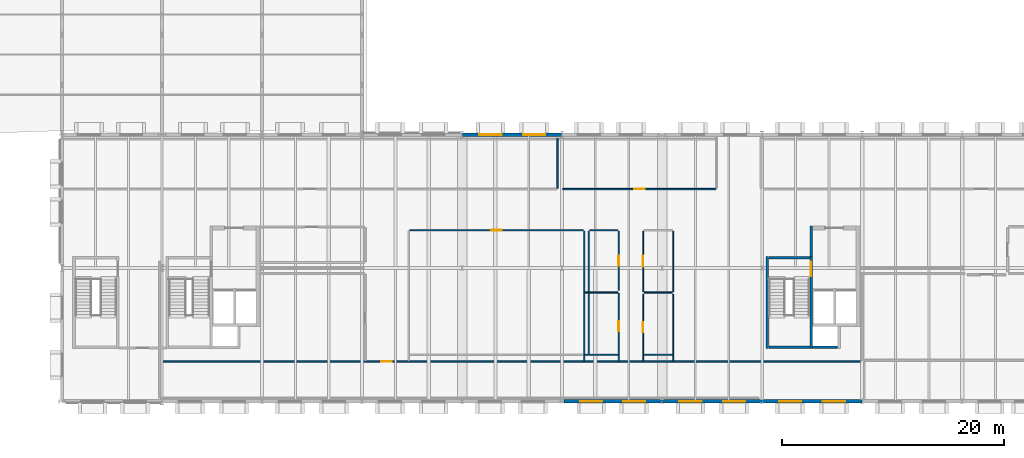
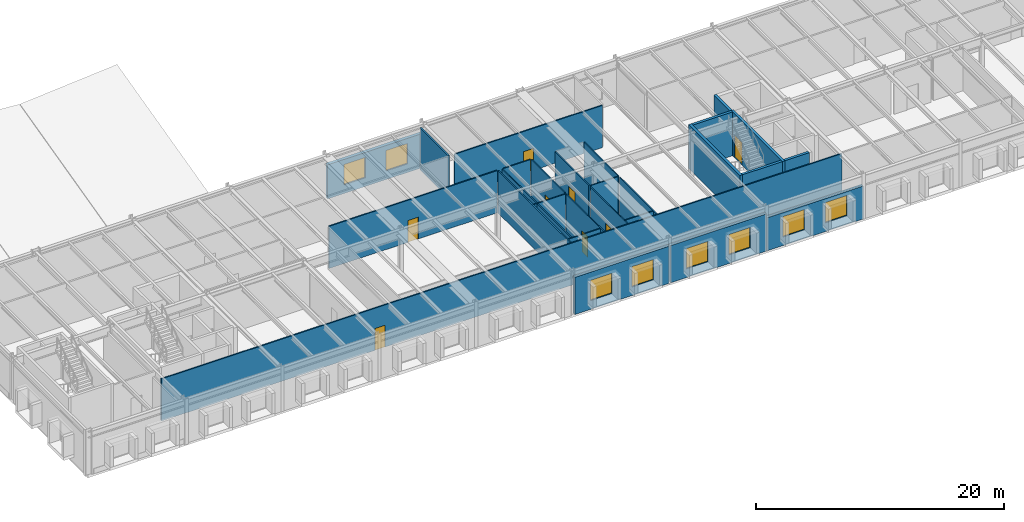
# One storey, part 57 of 67: 28 walls, 8 doors, 8 windows, 16 openings.
"""IFC4 building model written with IfcOpenShell, lengths in metres."""

from ifc_helpers import new_model, si_unit, direction, frame, frame_2d, origin, place, context, subcontext, project, spatial, rectangle, extrude, material, layer, layer_set, type_object, element, fill, save


model = new_model("IFC4")

# Units and contexts
model_context = context("Model", 3, precision=1e-05, world=origin(), true_north=direction((0.0, 1.0)))
body_context = subcontext(model_context, "Body", "Model", "MODEL_VIEW")
ifc_project = project(units=[si_unit("LENGTHUNIT", "METRE"), si_unit("AREAUNIT", "SQUARE_METRE"), si_unit("VOLUMEUNIT", "CUBIC_METRE"), si_unit("PLANEANGLEUNIT", "RADIAN"), si_unit("MASSUNIT", "GRAM", prefix="KILO")], contexts=[model_context])

# Site, building, storey
site_placement = place(None, origin())
site = spatial("IfcSite", under=ifc_project, at=site_placement, CompositionType="ELEMENT")
building_placement = place(site_placement, origin())
building = spatial("IfcBuilding", under=site, at=building_placement, Name="Montelvaro Courts of Justice", CompositionType="ELEMENT")
storey_placement = place(building_placement, frame((0.0, 0.0, 18.89990234375)))
storey = spatial("IfcBuildingStorey", under=building, at=storey_placement, Name="L04", CompositionType="ELEMENT", Elevation=18.89990234375)

# Wall
ifc_material_1 = material(Name="Gypsum board on metal stud")
ifc_layer_1 = layer(ifc_material_1, 0.14990234375)
ifc_layer_set_1 = layer_set([ifc_layer_1], Name="Gypsum board on metal stud")
wall_type_1 = type_object("IfcWallType", Name="ChambersPartition_150", PredefinedType="PARTITIONING", material=ifc_layer_set_1)
wall_1_placement = place(storey_placement, frame((89.60009765625, 23.677001953125, 0.0), z_axis=(0.0, 0.0, 1.0), x_axis=(0.0, -1.0, 0.0)))
element("IfcWall", 1, at=wall_1_placement, inside=storey, type_object=wall_type_1, Name="Interior Partition IW-04 (L04)", PredefinedType="PARTITIONING", context=body_context, shape_type="SweptSolid", body=[
    extrude(rectangle(XDim=4.4970703125, YDim=0.14990234375, at=frame_2d((2.24853515625, 0.0))), origin(), (0.0, 0.0, 1.0), 4.14013671875),
])

# Wall, openings, windows
ifc_material_2 = material(Name="White mineral precast concrete C45/55", Category="concrete")
ifc_layer_2 = layer(ifc_material_2, 0.300048828125)
ifc_layer_set_2 = layer_set([ifc_layer_2], Name="White mineral precast concrete C45/55")
wall_type_2 = type_object("IfcWallType", Name="ExtWall_GFRC_300", PredefinedType="SOLIDWALL", material=ifc_layer_set_2)
wall_2_placement = place(storey_placement, frame((90.16796875, 0.0, 0.0), z_axis=(0.0, 0.0, 1.0), x_axis=(1.0, 0.0, 0.0)))
wall_2 = element("IfcWall", 2, at=wall_2_placement, inside=storey, type_object=wall_type_2, Name="Exterior Facade Wall EW-02 (L04)", PredefinedType="SOLIDWALL", context=body_context, shape_type="SweptSolid", body=[
    extrude(rectangle(XDim=8.77392578125, YDim=0.300048828125, at=frame_2d((4.386962890625, 0.0))), origin(), (0.0, 0.0, 1.0), 3.655029296875),
])
opening_1_placement = place(wall_2_placement, frame((1.45703125, 0.0, 0.85009765625)))
opening_1 = element("IfcOpeningElement", 3, at=opening_1_placement, cuts=wall_2, Name="Opening WE-11", PredefinedType="OPENING", context=body_context, shape_type="SweptSolid", body=[
    extrude(rectangle(XDim=2.0, YDim=2.0, at=frame_2d((1.0, 1.0))), frame((0.0, 0.1650390625, 0.0), z_axis=(0.0, -1.0, 0.0), x_axis=(1.0, 0.0, 0.0)), (0.0, 0.0, 1.0), 0.329833984375),
])
opening_2_placement = place(wall_2_placement, frame((5.31689453125, 0.0, 0.85009765625)))
opening_2 = element("IfcOpeningElement", 4, at=opening_2_placement, cuts=wall_2, Name="Opening WE-11", PredefinedType="OPENING", context=body_context, shape_type="SweptSolid", body=[
    extrude(rectangle(XDim=2.0, YDim=2.0, at=frame_2d((1.0, 1.0))), frame((0.0, 0.1650390625, 0.0), z_axis=(0.0, -1.0, 0.0), x_axis=(1.0, 0.0, 0.0)), (0.0, 0.0, 1.0), 0.329833984375),
])
ifc_material_3 = material(Name="Low-E solar control double glazing", Category="glass")
window_type = type_object("IfcWindowType", Name="Win_Sq_200x200", PartitioningType="SINGLE_PANEL", PredefinedType="WINDOW", material=ifc_material_3)
window_1_placement = place(opening_1_placement, origin())
window_1 = element("IfcWindow", 5, at=window_1_placement, inside=storey, type_object=window_type, Name="Window W-L04-211", OverallHeight=2.0, OverallWidth=2.0, PartitioningType="SINGLE_PANEL", PredefinedType="WINDOW", context=body_context, shape_type="SweptSolid", body=[
    extrude(rectangle(XDim=2.0, YDim=2.0, at=frame_2d((1.0, 1.0))), frame((0.0, 0.030029296875, 0.0), z_axis=(0.0, -1.0, 0.0), x_axis=(1.0, 0.0, 0.0)), (0.0, 0.0, 1.0), 0.06005859375),
])
fill(opening_1, window_1)
window_2_placement = place(opening_2_placement, origin())
window_2 = element("IfcWindow", 6, at=window_2_placement, inside=storey, type_object=window_type, Name="Window W-L04-212", OverallHeight=2.0, OverallWidth=2.0, PartitioningType="SINGLE_PANEL", PredefinedType="WINDOW", context=body_context, shape_type="SweptSolid", body=[
    extrude(rectangle(XDim=2.0, YDim=2.0, at=frame_2d((1.0, 1.0))), frame((0.0, 0.030029296875, 0.0), z_axis=(0.0, -1.0, 0.0), x_axis=(1.0, 0.0, 0.0)), (0.0, 0.0, 1.0), 0.06005859375),
])
fill(opening_2, window_2)

wall_3_placement = place(storey_placement, frame((89.991943359375, 24.0, 0.0), z_axis=(0.0, 0.0, 1.0), x_axis=(-1.0, 0.0, 0.0)))
wall_3 = element("IfcWall", 7, at=wall_3_placement, inside=storey, type_object=wall_type_2, Name="Exterior Facade Wall EW-02 (L04)", PredefinedType="SOLIDWALL", context=body_context, shape_type="SweptSolid", body=[
    extrude(rectangle(XDim=8.933837890625, YDim=0.300048828125, at=frame_2d((4.466796875, 0.0))), origin(), (0.0, 0.0, 1.0), 3.34521484375),
])
opening_3_placement = place(wall_3_placement, frame((1.501953125, 0.0, 0.85009765625)))
opening_3 = element("IfcOpeningElement", 8, at=opening_3_placement, cuts=wall_3, Name="Opening WE-11", PredefinedType="OPENING", context=body_context, shape_type="SweptSolid", body=[
    extrude(rectangle(XDim=2.0, YDim=2.0, at=frame_2d((1.0, 1.0))), frame((0.0, 0.1650390625, 0.0), z_axis=(0.0, -1.0, 0.0), x_axis=(1.0, 0.0, 0.0)), (0.0, 0.0, 1.0), 0.329833984375),
])
opening_4_placement = place(wall_3_placement, frame((5.431884765625, 0.0, 0.85009765625)))
opening_4 = element("IfcOpeningElement", 9, at=opening_4_placement, cuts=wall_3, Name="Opening WE-11", PredefinedType="OPENING", context=body_context, shape_type="SweptSolid", body=[
    extrude(rectangle(XDim=2.0, YDim=2.0, at=frame_2d((1.0, 1.0))), frame((0.0, 0.1650390625, 0.0), z_axis=(0.0, -1.0, 0.0), x_axis=(1.0, 0.0, 0.0)), (0.0, 0.0, 1.0), 0.329833984375),
])
window_3_placement = place(opening_3_placement, origin())
window_3 = element("IfcWindow", 10, at=window_3_placement, inside=storey, type_object=window_type, Name="Window W-L04-215", OverallHeight=2.0, OverallWidth=2.0, PartitioningType="SINGLE_PANEL", PredefinedType="WINDOW", context=body_context, shape_type="SweptSolid", body=[
    extrude(rectangle(XDim=2.0, YDim=2.0, at=frame_2d((1.0, 1.0))), frame((0.0, 0.030029296875, 0.0), z_axis=(0.0, -1.0, 0.0), x_axis=(1.0, 0.0, 0.0)), (0.0, 0.0, 1.0), 0.06005859375),
])
fill(opening_3, window_3)
window_4_placement = place(opening_4_placement, origin())
window_4 = element("IfcWindow", 11, at=window_4_placement, inside=storey, type_object=window_type, Name="Window W-L04-216", OverallHeight=2.0, OverallWidth=2.0, PartitioningType="SINGLE_PANEL", PredefinedType="WINDOW", context=body_context, shape_type="SweptSolid", body=[
    extrude(rectangle(XDim=2.0, YDim=2.0, at=frame_2d((1.0, 1.0))), frame((0.0, 0.030029296875, 0.0), z_axis=(0.0, -1.0, 0.0), x_axis=(1.0, 0.0, 0.0)), (0.0, 0.0, 1.0), 0.06005859375),
])
fill(opening_4, window_4)

wall_4_placement = place(storey_placement, frame((99.05810546875, 0.0, 0.0), z_axis=(0.0, 0.0, 1.0), x_axis=(1.0, 0.0, 0.0)))
wall_4 = element("IfcWall", 12, at=wall_4_placement, inside=storey, type_object=wall_type_2, Name="Exterior Facade Wall EW-02 (L04)", PredefinedType="SOLIDWALL", context=body_context, shape_type="SweptSolid", body=[
    extrude(rectangle(XDim=8.933837890625, YDim=0.300048828125, at=frame_2d((4.466796875, 0.0))), origin(), (0.0, 0.0, 1.0), 3.655029296875),
])
opening_5_placement = place(wall_4_placement, frame((1.501953125, 0.0, 0.85009765625)))
opening_5 = element("IfcOpeningElement", 13, at=opening_5_placement, cuts=wall_4, Name="Opening WE-11", PredefinedType="OPENING", context=body_context, shape_type="SweptSolid", body=[
    extrude(rectangle(XDim=2.0, YDim=2.0, at=frame_2d((1.0, 1.0))), frame((0.0, 0.1650390625, 0.0), z_axis=(0.0, -1.0, 0.0), x_axis=(1.0, 0.0, 0.0)), (0.0, 0.0, 1.0), 0.329833984375),
])
opening_6_placement = place(wall_4_placement, frame((5.431884765625, 0.0, 0.85009765625)))
opening_6 = element("IfcOpeningElement", 14, at=opening_6_placement, cuts=wall_4, Name="Opening WE-11", PredefinedType="OPENING", context=body_context, shape_type="SweptSolid", body=[
    extrude(rectangle(XDim=2.0, YDim=2.0, at=frame_2d((1.0, 1.0))), frame((0.0, 0.1650390625, 0.0), z_axis=(0.0, -1.0, 0.0), x_axis=(1.0, 0.0, 0.0)), (0.0, 0.0, 1.0), 0.329833984375),
])
window_5_placement = place(opening_5_placement, origin())
window_5 = element("IfcWindow", 15, at=window_5_placement, inside=storey, type_object=window_type, Name="Window W-L04-217", OverallHeight=2.0, OverallWidth=2.0, PartitioningType="SINGLE_PANEL", PredefinedType="WINDOW", context=body_context, shape_type="SweptSolid", body=[
    extrude(rectangle(XDim=2.0, YDim=2.0, at=frame_2d((1.0, 1.0))), frame((0.0, 0.030029296875, 0.0), z_axis=(0.0, -1.0, 0.0), x_axis=(1.0, 0.0, 0.0)), (0.0, 0.0, 1.0), 0.06005859375),
])
fill(opening_5, window_5)
window_6_placement = place(opening_6_placement, origin())
window_6 = element("IfcWindow", 16, at=window_6_placement, inside=storey, type_object=window_type, Name="Window W-L04-218", OverallHeight=2.0, OverallWidth=2.0, PartitioningType="SINGLE_PANEL", PredefinedType="WINDOW", context=body_context, shape_type="SweptSolid", body=[
    extrude(rectangle(XDim=2.0, YDim=2.0, at=frame_2d((1.0, 1.0))), frame((0.0, 0.030029296875, 0.0), z_axis=(0.0, -1.0, 0.0), x_axis=(1.0, 0.0, 0.0)), (0.0, 0.0, 1.0), 0.06005859375),
])
fill(opening_6, window_6)

wall_5_placement = place(storey_placement, frame((108.008056640625, 0.0, 0.0), z_axis=(0.0, 0.0, 1.0), x_axis=(1.0, 0.0, 0.0)))
wall_5 = element("IfcWall", 17, at=wall_5_placement, inside=storey, type_object=wall_type_2, Name="Exterior Facade Wall EW-02 (L04)", PredefinedType="SOLIDWALL", context=body_context, shape_type="SweptSolid", body=[
    extrude(rectangle(XDim=8.98388671875, YDim=0.300048828125, at=frame_2d((4.491943359375, 0.0))), origin(), (0.0, 0.0, 1.0), 3.2470703125),
])
opening_7_placement = place(wall_5_placement, frame((1.51611328125, 0.0, 0.85009765625)))
opening_7 = element("IfcOpeningElement", 18, at=opening_7_placement, cuts=wall_5, Name="Opening WE-11", PredefinedType="OPENING", context=body_context, shape_type="SweptSolid", body=[
    extrude(rectangle(XDim=2.0, YDim=2.0, at=frame_2d((1.0, 1.0))), frame((0.0, 0.1650390625, 0.0), z_axis=(0.0, -1.0, 0.0), x_axis=(1.0, 0.0, 0.0)), (0.0, 0.0, 1.0), 0.329833984375),
])
opening_8_placement = place(wall_5_placement, frame((5.468017578125, 0.0, 0.85009765625)))
opening_8 = element("IfcOpeningElement", 19, at=opening_8_placement, cuts=wall_5, Name="Opening WE-11", PredefinedType="OPENING", context=body_context, shape_type="SweptSolid", body=[
    extrude(rectangle(XDim=2.0, YDim=2.0, at=frame_2d((1.0, 1.0))), frame((0.0, 0.1650390625, 0.0), z_axis=(0.0, -1.0, 0.0), x_axis=(1.0, 0.0, 0.0)), (0.0, 0.0, 1.0), 0.329833984375),
])
window_7_placement = place(opening_7_placement, origin())
window_7 = element("IfcWindow", 20, at=window_7_placement, inside=storey, type_object=window_type, Name="Window W-L04-219", OverallHeight=2.0, OverallWidth=2.0, PartitioningType="SINGLE_PANEL", PredefinedType="WINDOW", context=body_context, shape_type="SweptSolid", body=[
    extrude(rectangle(XDim=2.0, YDim=2.0, at=frame_2d((1.0, 1.0))), frame((0.0, 0.030029296875, 0.0), z_axis=(0.0, -1.0, 0.0), x_axis=(1.0, 0.0, 0.0)), (0.0, 0.0, 1.0), 0.06005859375),
])
fill(opening_7, window_7)
window_8_placement = place(opening_8_placement, origin())
window_8 = element("IfcWindow", 21, at=window_8_placement, inside=storey, type_object=window_type, Name="Window W-L04-220", OverallHeight=2.0, OverallWidth=2.0, PartitioningType="SINGLE_PANEL", PredefinedType="WINDOW", context=body_context, shape_type="SweptSolid", body=[
    extrude(rectangle(XDim=2.0, YDim=2.0, at=frame_2d((1.0, 1.0))), frame((0.0, 0.030029296875, 0.0), z_axis=(0.0, -1.0, 0.0), x_axis=(1.0, 0.0, 0.0)), (0.0, 0.0, 1.0), 0.06005859375),
])
fill(opening_8, window_8)

# Wall, opening, door
ifc_layer_3 = layer(ifc_material_1, 0.1201171875)
ifc_layer_set_3 = layer_set([ifc_layer_3], Name="Gypsum board on metal stud")
wall_type_3 = type_object("IfcWallType", Name="OfficePartition_120", PredefinedType="PARTITIONING", material=ifc_layer_set_3)
wall_6_placement = place(storey_placement, frame((53.8701171875, 3.60009765625, 0.0), z_axis=(0.0, 0.0, 1.0), x_axis=(1.0, 0.0, 0.0)))
wall_6 = element("IfcWall", 22, at=wall_6_placement, inside=storey, type_object=wall_type_3, Name="Interior Partition IW-05 (L04)", PredefinedType="PARTITIONING", context=body_context, shape_type="SweptSolid", body=[
    extrude(rectangle(XDim=63.25, YDim=0.1201171875, at=frame_2d((31.625, 0.0))), origin(), (0.0, 0.0, 1.0), 4.14013671875),
])
opening_9_placement = place(wall_6_placement, frame((19.85498046875, 0.0, 0.0)))
opening_9 = element("IfcOpeningElement", 23, at=opening_9_placement, cuts=wall_6, Name="Opening D-L04-129", PredefinedType="OPENING", context=body_context, shape_type="SweptSolid", body=[
    extrude(rectangle(XDim=0.949951171875, YDim=2.14990234375, at=frame_2d((0.47509765625, 1.074951171875))), frame((0.0, 0.074951171875, 0.0), z_axis=(0.0, -1.0, 0.0), x_axis=(1.0, 0.0, 0.0)), (0.0, 0.0, 1.0), 0.14990234375),
])
ifc_material_4 = material(Name="Acoustic oak timber veneer", Category="wood")
door_type_1 = type_object("IfcDoorType", Name="OfficeDoor_095x215", OperationType="NOTDEFINED", PredefinedType="DOOR", material=ifc_material_4)
door_1_placement = place(opening_9_placement, frame((0.949951171875, 0.0, 0.0), z_axis=(0.0, 0.0, 1.0), x_axis=(-1.0, 0.0, 0.0)))
door_1 = element("IfcDoor", 24, at=door_1_placement, inside=storey, type_object=door_type_1, Name="Interior Door D-L04-129 (South Prosecutors' Gallery L04)", OperationType="SINGLE_SWING_LEFT", OverallHeight=2.14990234375, OverallWidth=0.949951171875, PredefinedType="DOOR", context=body_context, shape_type="SweptSolid", body=[
    extrude(rectangle(XDim=0.949951171875, YDim=2.14990234375, at=frame_2d((0.47509765625, 1.074951171875))), frame((0.0, 0.02490234375, 0.0), z_axis=(0.0, -1.0, 0.0), x_axis=(1.0, 0.0, 0.0)), (0.0, 0.0, 1.0), 0.050048828125),
])
fill(opening_9, door_1)

wall_7_placement = place(storey_placement, frame((103.820068359375, 19.10009765625, 0.0), z_axis=(0.0, 0.0, 1.0), x_axis=(-1.0, 0.0, 0.0)))
wall_7 = element("IfcWall", 25, at=wall_7_placement, inside=storey, type_object=wall_type_3, Name="Interior Partition IW-05 (L04)", PredefinedType="PARTITIONING", context=body_context, shape_type="SweptSolid", body=[
    extrude(rectangle(XDim=13.739990234375, YDim=0.1201171875, at=frame_2d((6.8701171875, 0.0))), origin(), (0.0, 0.0, 1.0), 4.14013671875),
])
opening_10_placement = place(wall_7_placement, frame((6.39501953125, 0.0, 0.0)))
opening_10 = element("IfcOpeningElement", 26, at=opening_10_placement, cuts=wall_7, Name="Opening D-L04-136", PredefinedType="OPENING", context=body_context, shape_type="SweptSolid", body=[
    extrude(rectangle(XDim=0.949951171875, YDim=2.14990234375, at=frame_2d((0.47509765625, 1.074951171875))), frame((0.0, 0.074951171875, 0.0), z_axis=(0.0, -1.0, 0.0), x_axis=(1.0, 0.0, 0.0)), (0.0, 0.0, 1.0), 0.14990234375),
])
door_2_placement = place(opening_10_placement, origin())
door_2 = element("IfcDoor", 27, at=door_2_placement, inside=storey, type_object=door_type_1, Name="Interior Door D-L04-136 (Prosecutors' Suite East L04)", OperationType="SINGLE_SWING_LEFT", OverallHeight=2.14990234375, OverallWidth=0.949951171875, PredefinedType="DOOR", context=body_context, shape_type="SweptSolid", body=[
    extrude(rectangle(XDim=0.949951171875, YDim=2.14990234375, at=frame_2d((0.47509765625, 1.074951171875))), frame((0.0, 0.02490234375, 0.0), z_axis=(0.0, -1.0, 0.0), x_axis=(1.0, 0.0, 0.0)), (0.0, 0.0, 1.0), 0.050048828125),
])
fill(opening_10, door_2)

wall_8_placement = place(storey_placement, frame((76.280029296875, 15.39990234375, 0.0), z_axis=(0.0, 0.0, 1.0), x_axis=(1.0, 0.0, 0.0)))
wall_8 = element("IfcWall", 28, at=wall_8_placement, inside=storey, type_object=wall_type_3, Name="Interior Partition IW-05 (L04)", PredefinedType="PARTITIONING", context=body_context, shape_type="SweptSolid", body=[
    extrude(rectangle(XDim=15.639892578125, YDim=0.1201171875, at=frame_2d((7.81982421875, 0.0))), origin(), (0.0, 0.0, 1.0), 4.14013671875),
])
opening_11_placement = place(wall_8_placement, frame((7.344970703125, 0.0, 0.0)))
opening_11 = element("IfcOpeningElement", 29, at=opening_11_placement, cuts=wall_8, Name="Opening D-L04-140", PredefinedType="OPENING", context=body_context, shape_type="SweptSolid", body=[
    extrude(rectangle(XDim=0.949951171875, YDim=2.14990234375, at=frame_2d((0.47509765625, 1.074951171875))), frame((0.0, 0.074951171875, 0.0), z_axis=(0.0, -1.0, 0.0), x_axis=(1.0, 0.0, 0.0)), (0.0, 0.0, 1.0), 0.14990234375),
])
door_3_placement = place(opening_11_placement, origin())
door_3 = element("IfcDoor", 30, at=door_3_placement, inside=storey, type_object=door_type_1, Name="Interior Door D-L04-140 (Evidentiary Digital Review Room)", OperationType="SINGLE_SWING_LEFT", OverallHeight=2.14990234375, OverallWidth=0.949951171875, PredefinedType="DOOR", context=body_context, shape_type="SweptSolid", body=[
    extrude(rectangle(XDim=0.949951171875, YDim=2.14990234375, at=frame_2d((0.47509765625, 1.074951171875))), frame((0.0, 0.02490234375, 0.0), z_axis=(0.0, -1.0, 0.0), x_axis=(1.0, 0.0, 0.0)), (0.0, 0.0, 1.0), 0.050048828125),
])
fill(opening_11, door_3)

# Walls
wall_9_placement = place(storey_placement, frame((92.0, 15.320068359375, 0.0), z_axis=(0.0, 0.0, 1.0), x_axis=(0.0, -1.0, 0.0)))
element("IfcWall", 31, at=wall_9_placement, inside=storey, type_object=wall_type_3, Name="Interior Partition IW-05 (L04)", PredefinedType="PARTITIONING", context=body_context, shape_type="SweptSolid", body=[
    extrude(rectangle(XDim=11.6650390625, YDim=0.1201171875, at=frame_2d((5.83251953125, 0.0))), origin(), (0.0, 0.0, 1.0), 4.14013671875),
])
ifc_material_5 = material(Name="Concrete C35/45", Category="concrete")
ifc_layer_4 = layer(ifc_material_5, 0.239990234375)
ifc_layer_set_4 = layer_set([ifc_layer_4], Name="Concrete C35/45")
wall_type_4 = type_object("IfcWallType", Name="ShaftWall_240", PredefinedType="SHEAR", material=ifc_layer_set_4)
wall_10_placement = place(storey_placement, frame((108.47998046875, 4.760009765625, 0.0), z_axis=(0.0, 0.0, 1.0), x_axis=(0.0, 1.0, 0.0)))
element("IfcWall", 32, at=wall_10_placement, inside=storey, type_object=wall_type_4, Name="Protected Stair Structural Wall ST-K2-W (L04)", PredefinedType="SHEAR", context=body_context, shape_type="SweptSolid", body=[
    extrude(rectangle(XDim=8.280029296875, YDim=0.239990234375, at=frame_2d((4.14013671875, 0.0))), origin(), (0.0, 0.0, 1.0), 4.31005859375),
])

# Wall, opening, door
wall_11_placement = place(storey_placement, frame((112.419921875, 4.760009765625, 0.0), z_axis=(0.0, 0.0, 1.0), x_axis=(0.0, 1.0, 0.0)))
wall_11 = element("IfcWall", 33, at=wall_11_placement, inside=storey, type_object=wall_type_4, Name="Protected Stair Structural Wall ST-K2-E (L04)", PredefinedType="SHEAR", context=body_context, shape_type="SweptSolid", body=[
    extrude(rectangle(XDim=8.280029296875, YDim=0.239990234375, at=frame_2d((4.14013671875, 0.0))), origin(), (0.0, 0.0, 1.0), 4.31005859375),
])
opening_12_placement = place(wall_11_placement, frame((6.489990234375, 0.0, 0.0)))
opening_12 = element("IfcOpeningElement", 34, at=opening_12_placement, cuts=wall_11, Name="Opening DS-L04-K2", PredefinedType="OPENING", context=body_context, shape_type="SweptSolid", body=[
    extrude(rectangle(XDim=1.300048828125, YDim=2.199951171875, at=frame_2d((0.64990234375, 1.10009765625))), frame((0.0, 0.134765625, 0.0), z_axis=(0.0, -1.0, 0.0), x_axis=(1.0, 0.0, 0.0)), (0.0, 0.0, 1.0), 0.269775390625),
])
ifc_material_6 = material(Name="Galvanised steel S355 security door", Category="steel")
door_type_2 = type_object("IfcDoorType", Name="StairFireDoor_130x220", OperationType="NOTDEFINED", PredefinedType="DOOR", material=ifc_material_6)
door_4_placement = place(opening_12_placement, frame((1.300048828125, 0.0, 0.0), z_axis=(0.0, 0.0, 1.0), x_axis=(-1.0, 0.0, 0.0)))
door_4 = element("IfcDoor", 35, at=door_4_placement, inside=storey, type_object=door_type_2, Name="Protected Stair Fire Door DS-L04-K2", OperationType="SINGLE_SWING_RIGHT", OverallHeight=2.199951171875, OverallWidth=1.300048828125, PredefinedType="DOOR", context=body_context, shape_type="SweptSolid", body=[
    extrude(rectangle(XDim=1.300048828125, YDim=2.199951171875, at=frame_2d((0.64990234375, 1.10009765625))), frame((0.0, 0.02490234375, 0.0), z_axis=(0.0, -1.0, 0.0), x_axis=(1.0, 0.0, 0.0)), (0.0, 0.0, 1.0), 0.050048828125),
])
fill(opening_12, door_4)

# Walls
for number, where, z_axis, x_axis, name in (
    (36, (108.60009765625, 4.8798828125, 0.0), (0.0, 0.0, 1.0), (1.0, 0.0, 0.0), "Protected Stair Structural Wall ST-K2-S (L04)"),
    (37, (108.60009765625, 12.919921875, 0.0), (0.0, 0.0, 1.0), (1.0, 0.0, 0.0), "Protected Stair Structural Wall ST-K2-N (L04)"),
):
    element("IfcWall", number, at=place(storey_placement, frame(where, z_axis=z_axis, x_axis=x_axis)), inside=storey, type_object=wall_type_4, Name=name, PredefinedType="SHEAR", context=body_context, shape_type="SweptSolid", body=[
        extrude(rectangle(XDim=3.699951171875, YDim=0.239990234375, at=frame_2d((1.85009765625, 0.0))), origin(), (0.0, 0.0, 1.0), 4.31005859375),
    ])
wall_12_placement = place(storey_placement, frame((112.419921875, 13.0400390625, 0.0), z_axis=(0.0, 0.0, 1.0), x_axis=(0.0, 1.0, 0.0)))
element("IfcWall", 38, at=wall_12_placement, inside=storey, type_object=wall_type_4, Name="Core Lobby Structural Wall K2-W (L04)", PredefinedType="SHEAR", context=body_context, shape_type="SweptSolid", body=[
    extrude(rectangle(XDim=2.760009765625, YDim=0.239990234375, at=frame_2d((1.3798828125, 0.0))), origin(), (0.0, 0.0, 1.0), 4.16015625),
])
wall_13_placement = place(storey_placement, frame((112.5400390625, 4.8798828125, 0.0), z_axis=(0.0, 0.0, 1.0), x_axis=(1.0, 0.0, 0.0)))
element("IfcWall", 39, at=wall_13_placement, inside=storey, type_object=wall_type_4, Name="Service Riser South Shaft Wall K2 (L04)", PredefinedType="SHEAR", context=body_context, shape_type="SweptSolid", body=[
    extrude(rectangle(XDim=2.260009765625, YDim=0.239990234375, at=frame_2d((1.1298828125, 0.0))), origin(), (0.0, 0.0, 1.0), 4.31005859375),
])
ifc_material_7 = material(Name="Moisture-resistant cement board")
ifc_layer_5 = layer(ifc_material_7, 0.10009765625)
ifc_layer_set_5 = layer_set([ifc_layer_5], Name="Moisture-resistant cement board")
wall_type_5 = type_object("IfcWallType", Name="WetWall_100", PredefinedType="PARTITIONING", material=ifc_layer_set_5)
wall_14_placement = place(storey_placement, frame((92.054931640625, 9.800048828125, 0.0), z_axis=(0.0, 0.0, 1.0), x_axis=(1.0, 0.0, 0.0)))
element("IfcWall", 40, at=wall_14_placement, inside=storey, type_object=wall_type_5, Name="Interior Partition IW-06 (L04)", PredefinedType="PARTITIONING", context=body_context, shape_type="SweptSolid", body=[
    extrude(rectangle(XDim=2.965087890625, YDim=0.10009765625, at=frame_2d((1.482421875, 0.0))), origin(), (0.0, 0.0, 1.0), 4.14013671875),
])

# Wall, opening, door
wall_15_placement = place(storey_placement, frame((95.10009765625, 9.719970703125, 0.0), z_axis=(0.0, 0.0, 1.0), x_axis=(0.0, -1.0, 0.0)))
wall_15 = element("IfcWall", 41, at=wall_15_placement, inside=storey, type_object=wall_type_5, Name="Interior Partition IW-06 (L04)", PredefinedType="PARTITIONING", context=body_context, shape_type="SweptSolid", body=[
    extrude(rectangle(XDim=6.06494140625, YDim=0.10009765625, at=frame_2d((3.032470703125, 0.0))), origin(), (0.0, 0.0, 1.0), 4.14013671875),
])
opening_13_placement = place(wall_15_placement, frame((2.529052734375, 0.0, 0.0)))
opening_13 = element("IfcOpeningElement", 42, at=opening_13_placement, cuts=wall_15, Name="Opening D-L04-144", PredefinedType="OPENING", context=body_context, shape_type="SweptSolid", body=[
    extrude(rectangle(XDim=0.89990234375, YDim=2.050048828125, at=frame_2d((0.449951171875, 1.02490234375))), frame((0.0, 0.06494140625, 0.0), z_axis=(0.0, -1.0, 0.0), x_axis=(1.0, 0.0, 0.0)), (0.0, 0.0, 1.0), 0.1298828125),
])
door_type_3 = type_object("IfcDoorType", Name="RestroomDoor_090x205", OperationType="NOTDEFINED", PredefinedType="DOOR", material=ifc_material_4)
door_5_placement = place(opening_13_placement, origin())
door_5 = element("IfcDoor", 43, at=door_5_placement, inside=storey, type_object=door_type_3, Name="Interior Door D-L04-144 (Fourth Floor Male Restroom)", OperationType="SINGLE_SWING_LEFT", OverallHeight=2.050048828125, OverallWidth=0.89990234375, PredefinedType="DOOR", context=body_context, shape_type="SweptSolid", body=[
    extrude(rectangle(XDim=0.89990234375, YDim=2.050048828125, at=frame_2d((0.449951171875, 1.02490234375))), frame((0.0, 0.02490234375, 0.0), z_axis=(0.0, -1.0, 0.0), x_axis=(1.0, 0.0, 0.0)), (0.0, 0.0, 1.0), 0.050048828125),
])
fill(opening_13, door_5)

# Walls
wall_16_placement = place(storey_placement, frame((95.054931640625, 4.199951171875, 0.0), z_axis=(0.0, 0.0, 1.0), x_axis=(-1.0, 0.0, 0.0)))
element("IfcWall", 44, at=wall_16_placement, inside=storey, type_object=wall_type_5, Name="Interior Partition IW-06 (L04)", PredefinedType="PARTITIONING", context=body_context, shape_type="SweptSolid", body=[
    extrude(rectangle(XDim=3.0, YDim=0.10009765625, at=frame_2d((1.5, 0.0))), origin(), (0.0, 0.0, 1.0), 4.14013671875),
])
wall_17_placement = place(storey_placement, frame((92.39990234375, 4.2451171875, 0.0), z_axis=(0.0, 0.0, 1.0), x_axis=(0.0, 1.0, 0.0)))
element("IfcWall", 45, at=wall_17_placement, inside=storey, type_object=wall_type_5, Name="Interior Partition IW-06 (L04)", PredefinedType="PARTITIONING", context=body_context, shape_type="SweptSolid", body=[
    extrude(rectangle(XDim=5.509765625, YDim=0.10009765625, at=frame_2d((2.7548828125, 0.0))), origin(), (0.0, 0.0, 1.0), 4.14013671875),
])

# Wall, opening, door
wall_18_placement = place(storey_placement, frame((95.10009765625, 15.320068359375, 0.0), z_axis=(0.0, 0.0, 1.0), x_axis=(0.0, -1.0, 0.0)))
wall_18 = element("IfcWall", 46, at=wall_18_placement, inside=storey, type_object=wall_type_5, Name="Interior Partition IW-06 (L04)", PredefinedType="PARTITIONING", context=body_context, shape_type="SweptSolid", body=[
    extrude(rectangle(XDim=5.340087890625, YDim=0.10009765625, at=frame_2d((2.669921875, 0.0))), origin(), (0.0, 0.0, 1.0), 4.14013671875),
])
opening_14_placement = place(wall_18_placement, frame((2.219970703125, 0.0, 0.0)))
opening_14 = element("IfcOpeningElement", 47, at=opening_14_placement, cuts=wall_18, Name="Opening D-L04-145", PredefinedType="OPENING", context=body_context, shape_type="SweptSolid", body=[
    extrude(rectangle(XDim=0.89990234375, YDim=2.050048828125, at=frame_2d((0.449951171875, 1.02490234375))), frame((0.0, 0.06494140625, 0.0), z_axis=(0.0, -1.0, 0.0), x_axis=(1.0, 0.0, 0.0)), (0.0, 0.0, 1.0), 0.1298828125),
])
door_6_placement = place(opening_14_placement, frame((0.89990234375, 0.0, 0.0), z_axis=(0.0, 0.0, 1.0), x_axis=(-1.0, 0.0, 0.0)))
door_6 = element("IfcDoor", 48, at=door_6_placement, inside=storey, type_object=door_type_3, Name="Interior Door D-L04-145 (Fourth Floor Female Restroom)", OperationType="SINGLE_SWING_RIGHT", OverallHeight=2.050048828125, OverallWidth=0.89990234375, PredefinedType="DOOR", context=body_context, shape_type="SweptSolid", body=[
    extrude(rectangle(XDim=0.89990234375, YDim=2.050048828125, at=frame_2d((0.449951171875, 1.02490234375))), frame((0.0, 0.02490234375, 0.0), z_axis=(0.0, -1.0, 0.0), x_axis=(1.0, 0.0, 0.0)), (0.0, 0.0, 1.0), 0.050048828125),
])
fill(opening_14, door_6)

# Walls
wall_19_placement = place(storey_placement, frame((92.39990234375, 9.844970703125, 0.0), z_axis=(0.0, 0.0, 1.0), x_axis=(0.0, 1.0, 0.0)))
element("IfcWall", 49, at=wall_19_placement, inside=storey, type_object=wall_type_5, Name="Interior Partition IW-06 (L04)", PredefinedType="PARTITIONING", context=body_context, shape_type="SweptSolid", body=[
    extrude(rectangle(XDim=5.47509765625, YDim=0.10009765625, at=frame_2d((2.737548828125, 0.0))), origin(), (0.0, 0.0, 1.0), 4.14013671875),
])
for number, where, z_axis, x_axis, name in (
    (50, (92.47998046875, 15.39990234375, 0.0), (0.0, 0.0, 1.0), (1.0, 0.0, 0.0), "Interior Partition IW-06 (L04)"),
    (51, (99.919921875, 9.800048828125, 0.0), (0.0, 0.0, 1.0), (-1.0, 0.0, 0.0), "Interior Partition IW-06 (L04)"),
):
    element("IfcWall", number, at=place(storey_placement, frame(where, z_axis=z_axis, x_axis=x_axis)), inside=storey, type_object=wall_type_5, Name=name, PredefinedType="PARTITIONING", context=body_context, shape_type="SweptSolid", body=[
        extrude(rectangle(XDim=2.5400390625, YDim=0.10009765625, at=frame_2d((1.27001953125, 0.0))), origin(), (0.0, 0.0, 1.0), 4.14013671875),
    ])

# Wall, opening, door
wall_20_placement = place(storey_placement, frame((97.300048828125, 9.8798828125, 0.0), z_axis=(0.0, 0.0, 1.0), x_axis=(0.0, 1.0, 0.0)))
wall_20 = element("IfcWall", 52, at=wall_20_placement, inside=storey, type_object=wall_type_5, Name="Interior Partition IW-06 (L04)", PredefinedType="PARTITIONING", context=body_context, shape_type="SweptSolid", body=[
    extrude(rectangle(XDim=5.440185546875, YDim=0.10009765625, at=frame_2d((2.72021484375, 0.0))), origin(), (0.0, 0.0, 1.0), 4.14013671875),
])
opening_15_placement = place(wall_20_placement, frame((2.219970703125, 0.0, 0.0)))
opening_15 = element("IfcOpeningElement", 53, at=opening_15_placement, cuts=wall_20, Name="Opening D-L04-146", PredefinedType="OPENING", context=body_context, shape_type="SweptSolid", body=[
    extrude(rectangle(XDim=1.0, YDim=2.10009765625, at=frame_2d((0.5, 1.050048828125))), frame((0.0, 0.06494140625, 0.0), z_axis=(0.0, -1.0, 0.0), x_axis=(1.0, 0.0, 0.0)), (0.0, 0.0, 1.0), 0.1298828125),
])
door_type_4 = type_object("IfcDoorType", Name="AccessibleWCDoor_100x210", OperationType="NOTDEFINED", PredefinedType="DOOR", material=ifc_material_4)
door_7_placement = place(opening_15_placement, origin())
door_7 = element("IfcDoor", 54, at=door_7_placement, inside=storey, type_object=door_type_4, Name="Interior Door D-L04-146 (Fourth Floor Accessible WC)", OperationType="SINGLE_SWING_LEFT", OverallHeight=2.10009765625, OverallWidth=1.0, PredefinedType="DOOR", context=body_context, shape_type="SweptSolid", body=[
    extrude(rectangle(XDim=1.0, YDim=2.10009765625, at=frame_2d((0.5, 1.050048828125))), frame((0.0, 0.02490234375, 0.0), z_axis=(0.0, -1.0, 0.0), x_axis=(1.0, 0.0, 0.0)), (0.0, 0.0, 1.0), 0.050048828125),
])
fill(opening_15, door_7)

# Wall
wall_21_placement = place(storey_placement, frame((100.0, 15.320068359375, 0.0), z_axis=(0.0, 0.0, 1.0), x_axis=(0.0, -1.0, 0.0)))
element("IfcWall", 55, at=wall_21_placement, inside=storey, type_object=wall_type_5, Name="Interior Partition IW-06 (L04)", PredefinedType="PARTITIONING", context=body_context, shape_type="SweptSolid", body=[
    extrude(rectangle(XDim=5.440185546875, YDim=0.10009765625, at=frame_2d((2.72021484375, 0.0))), origin(), (0.0, 0.0, 1.0), 4.14013671875),
])

# Wall, opening, door
wall_22_placement = place(storey_placement, frame((97.300048828125, 3.655029296875, 0.0), z_axis=(0.0, 0.0, 1.0), x_axis=(0.0, 1.0, 0.0)))
wall_22 = element("IfcWall", 56, at=wall_22_placement, inside=storey, type_object=wall_type_5, Name="Interior Partition IW-06 (L04)", PredefinedType="PARTITIONING", context=body_context, shape_type="SweptSolid", body=[
    extrude(rectangle(XDim=5.965087890625, YDim=0.10009765625, at=frame_2d((2.982421875, 0.0))), origin(), (0.0, 0.0, 1.0), 4.14013671875),
])
opening_16_placement = place(wall_22_placement, frame((2.5859375, 0.0, 0.0)))
opening_16 = element("IfcOpeningElement", 57, at=opening_16_placement, cuts=wall_22, Name="Opening D-L04-147", PredefinedType="OPENING", context=body_context, shape_type="SweptSolid", body=[
    extrude(rectangle(XDim=0.89990234375, YDim=2.050048828125, at=frame_2d((0.449951171875, 1.02490234375))), frame((0.0, 0.06494140625, 0.0), z_axis=(0.0, -1.0, 0.0), x_axis=(1.0, 0.0, 0.0)), (0.0, 0.0, 1.0), 0.1298828125),
])
door_8_placement = place(opening_16_placement, frame((0.89990234375, 0.0, 0.0), z_axis=(0.0, 0.0, 1.0), x_axis=(-1.0, 0.0, 0.0)))
door_8 = element("IfcDoor", 58, at=door_8_placement, inside=storey, type_object=door_type_3, Name="Interior Door D-L04-147 (Fourth Floor Cleaners' Store)", OperationType="SINGLE_SWING_RIGHT", OverallHeight=2.050048828125, OverallWidth=0.89990234375, PredefinedType="DOOR", context=body_context, shape_type="SweptSolid", body=[
    extrude(rectangle(XDim=0.89990234375, YDim=2.050048828125, at=frame_2d((0.449951171875, 1.02490234375))), frame((0.0, 0.02490234375, 0.0), z_axis=(0.0, -1.0, 0.0), x_axis=(1.0, 0.0, 0.0)), (0.0, 0.0, 1.0), 0.050048828125),
])
fill(opening_16, door_8)

# Walls
wall_23_placement = place(storey_placement, frame((100.0, 9.6201171875, 0.0), z_axis=(0.0, 0.0, 1.0), x_axis=(0.0, -1.0, 0.0)))
element("IfcWall", 59, at=wall_23_placement, inside=storey, type_object=wall_type_5, Name="Interior Partition IW-06 (L04)", PredefinedType="PARTITIONING", context=body_context, shape_type="SweptSolid", body=[
    extrude(rectangle(XDim=5.965087890625, YDim=0.10009765625, at=frame_2d((2.982421875, 0.0))), origin(), (0.0, 0.0, 1.0), 4.14013671875),
])
wall_24_placement = place(storey_placement, frame((99.955078125, 4.199951171875, 0.0), z_axis=(0.0, 0.0, 1.0), x_axis=(-1.0, 0.0, 0.0)))
element("IfcWall", 60, at=wall_24_placement, inside=storey, type_object=wall_type_5, Name="Interior Partition IW-06 (L04)", PredefinedType="PARTITIONING", context=body_context, shape_type="SweptSolid", body=[
    extrude(rectangle(XDim=2.610107421875, YDim=0.10009765625, at=frame_2d((1.30517578125, 0.0))), origin(), (0.0, 0.0, 1.0), 4.14013671875),
])

save(model, "model.ifc")
